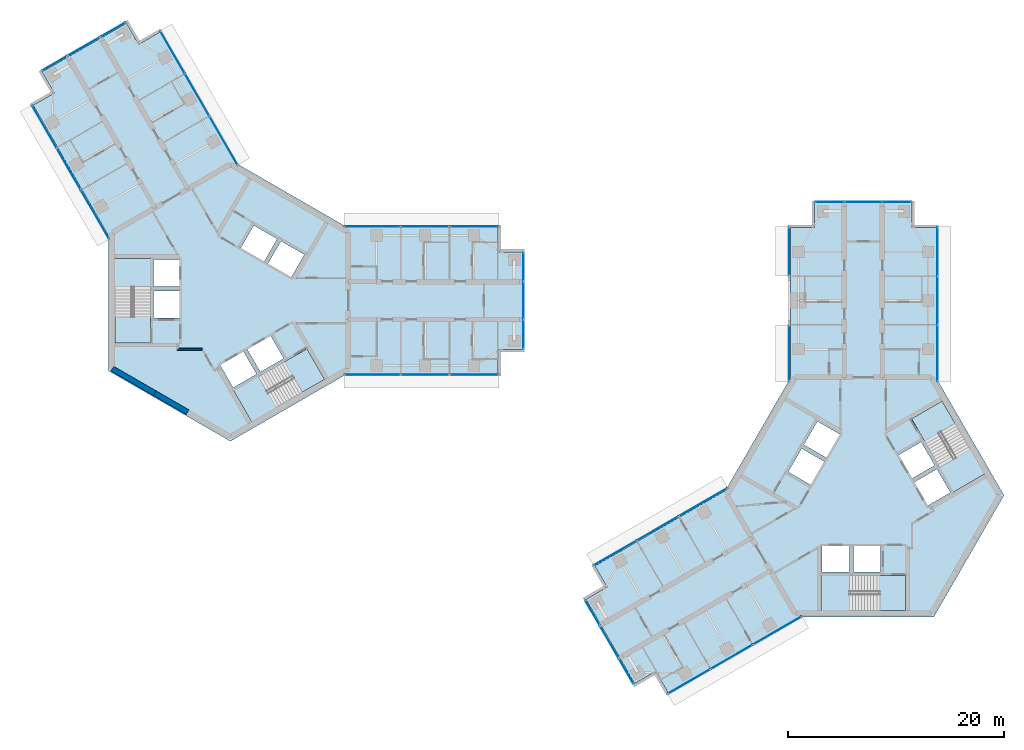
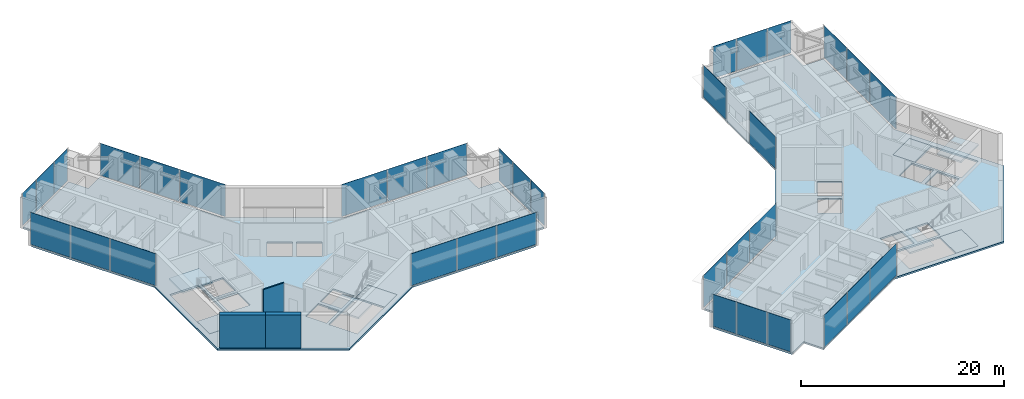
# One storey, part 10 of 17: 35 plates, 10 slabs, 3 walls, 17 elements without a shape of their own.
"""IFC4 building model written with IfcOpenShell, lengths in metres."""

from ifc_helpers import new_model, si_unit, direction, frame, frame_2d, origin, origin_2d, place, context, subcontext, project, spatial, polyline, rectangle, outline, extrude, material, layer, layer_set, type_object, element, aggregate, save


model = new_model("IFC4")

# Units and contexts
model_context = context("Model", 3, precision=1e-05, world=origin(), true_north=direction((0.0, 1.0)))
body_context = subcontext(model_context, "Body", "Model", "MODEL_VIEW")
ifc_project = project(units=[si_unit("LENGTHUNIT", "METRE"), si_unit("AREAUNIT", "SQUARE_METRE"), si_unit("VOLUMEUNIT", "CUBIC_METRE"), si_unit("PLANEANGLEUNIT", "RADIAN"), si_unit("MASSUNIT", "GRAM", prefix="KILO")], contexts=[model_context])

# Site, building, storey
site_placement = place(None, origin())
site = spatial("IfcSite", under=ifc_project, at=site_placement, CompositionType="ELEMENT")
building_placement = place(site_placement, origin())
building = spatial("IfcBuilding", under=site, at=building_placement, Name="Upepo Twin Towers", CompositionType="ELEMENT")
storey_placement = place(building_placement, frame((0.0, 0.0, 234.5)))
storey = spatial("IfcBuildingStorey", under=building, at=storey_placement, Name="L57", CompositionType="ELEMENT", Elevation=234.5)

# Curtain wall, plates
ifc_material_1 = material(Name="Aluminium and fritted glass", Category="aluminium")
curtain_wall_type = type_object("IfcCurtainWallType", Name="Tower curtain wall TW3, fritted glass", PredefinedType="NOTDEFINED", material=ifc_material_1)
curtain_wall_1_placement = place(storey_placement, origin())
curtain_wall_1 = element("IfcCurtainWall", 1, at=curtain_wall_1_placement, inside=storey, type_object=curtain_wall_type, Name="T1 L57 wing A flank L curtain wall", PredefinedType="NOTDEFINED")
ifc_material_2 = material(Name="Ceramic-fritted laminated glass", Category="glass")
ifc_layer_1 = layer(ifc_material_2, 0.031982421875)
ifc_layer_set_1 = layer_set([ifc_layer_1], Name="Fritted glass panel, 60 per cent dot frit, 32 mm double glazed")
plate_type_1 = type_object("IfcPlateType", Name="Fritted glass panel, 60 per cent dot frit, 32 mm double glazed", PredefinedType="CURTAIN_PANEL", material=ifc_layer_set_1)
plate_1_placement = place(storey_placement, frame((13.134765625, 6.85009765625, 0.14990234375), z_axis=(0.0, 0.0, 1.0), x_axis=(1.0, 0.0, 0.0)))
plate_1 = element("IfcPlate", 2, at=plate_1_placement, type_object=plate_type_1, Name="T1 L57 wing A flank L curtain wall panel 1", PredefinedType="CURTAIN_PANEL", context=body_context, shape_type="SweptSolid", body=[
    extrude(rectangle(XDim=5.165283203125, YDim=0.031982421875, at=origin_2d()), origin(), (0.0, 0.0, 1.0), 3.85009765625),
])
plate_2_placement = place(storey_placement, frame((18.0, 6.85009765625, 0.14990234375), z_axis=(0.0, 0.0, 1.0), x_axis=(1.0, 0.0, 0.0)))
plate_2 = element("IfcPlate", 3, at=plate_2_placement, type_object=plate_type_1, Name="T1 L57 wing A flank L curtain wall panel 2", PredefinedType="CURTAIN_PANEL", context=body_context, shape_type="SweptSolid", body=[
    extrude(rectangle(XDim=4.43505859375, YDim=0.031982421875, at=origin_2d()), origin(), (0.0, 0.0, 1.0), 3.85009765625),
])
plate_3_placement = place(storey_placement, frame((22.53369140625, 6.85009765625, 0.14990234375), z_axis=(0.0, 0.0, 1.0), x_axis=(1.0, 0.0, 0.0)))
plate_3 = element("IfcPlate", 4, at=plate_3_placement, type_object=plate_type_1, Name="T1 L57 wing A flank L curtain wall panel 3", PredefinedType="CURTAIN_PANEL", context=body_context, shape_type="SweptSolid", body=[
    extrude(rectangle(XDim=4.50244140625, YDim=0.031982421875, at=origin_2d()), origin(), (0.0, 0.0, 1.0), 3.85009765625),
])
aggregate(curtain_wall_1, [plate_1, plate_2, plate_3])

curtain_wall_2_placement = place(storey_placement, origin())
curtain_wall_2 = element("IfcCurtainWall", 5, at=curtain_wall_2_placement, inside=storey, type_object=curtain_wall_type, Name="T1 L57 wing A flank R curtain wall", PredefinedType="NOTDEFINED")
plate_4_placement = place(storey_placement, frame((22.53369140625, -6.85009765625, 0.14990234375), z_axis=(0.0, 0.0, 1.0), x_axis=(-1.0, 0.0, 0.0)))
plate_4 = element("IfcPlate", 6, at=plate_4_placement, type_object=plate_type_1, Name="T1 L57 wing A flank R curtain wall panel 1", PredefinedType="CURTAIN_PANEL", context=body_context, shape_type="SweptSolid", body=[
    extrude(rectangle(XDim=4.50244140625, YDim=0.031982421875, at=origin_2d()), origin(), (0.0, 0.0, 1.0), 3.85009765625),
])
plate_5_placement = place(storey_placement, frame((18.0, -6.85009765625, 0.14990234375), z_axis=(0.0, 0.0, 1.0), x_axis=(-1.0, 0.0, 0.0)))
plate_5 = element("IfcPlate", 7, at=plate_5_placement, type_object=plate_type_1, Name="T1 L57 wing A flank R curtain wall panel 2", PredefinedType="CURTAIN_PANEL", context=body_context, shape_type="SweptSolid", body=[
    extrude(rectangle(XDim=4.43505859375, YDim=0.031982421875, at=origin_2d()), origin(), (0.0, 0.0, 1.0), 3.85009765625),
])
plate_6_placement = place(storey_placement, frame((13.134765625, -6.85009765625, 0.14990234375), z_axis=(0.0, 0.0, 1.0), x_axis=(-1.0, 0.0, 0.0)))
plate_6 = element("IfcPlate", 8, at=plate_6_placement, type_object=plate_type_1, Name="T1 L57 wing A flank R curtain wall panel 3", PredefinedType="CURTAIN_PANEL", context=body_context, shape_type="SweptSolid", body=[
    extrude(rectangle(XDim=5.165283203125, YDim=0.031982421875, at=origin_2d()), origin(), (0.0, 0.0, 1.0), 3.85009765625),
])
aggregate(curtain_wall_2, [plate_4, plate_5, plate_6])

# Curtain wall, plate
curtain_wall_3_placement = place(storey_placement, origin())
curtain_wall_3 = element("IfcCurtainWall", 9, at=curtain_wall_3_placement, inside=storey, type_object=curtain_wall_type, Name="T1 L57 wing A nose curtain wall", PredefinedType="NOTDEFINED")
plate_7_placement = place(storey_placement, frame((27.10009765625, 0.0, 0.14990234375), z_axis=(0.0, 0.0, 1.0), x_axis=(0.0, 1.0, 0.0)))
plate_7 = element("IfcPlate", 10, at=plate_7_placement, type_object=plate_type_1, Name="T1 L57 wing A nose curtain wall panel 2", PredefinedType="CURTAIN_PANEL", context=body_context, shape_type="SweptSolid", body=[
    extrude(rectangle(XDim=3.43505859375, YDim=0.031982421875, at=origin_2d()), origin(), (0.0, 0.0, 1.0), 3.85009765625),
])

# Curtain wall, plates
curtain_wall_4_placement = place(storey_placement, origin())
curtain_wall_4 = element("IfcCurtainWall", 11, at=curtain_wall_4_placement, inside=storey, type_object=curtain_wall_type, Name="T1 L57 wing B flank L curtain wall", PredefinedType="NOTDEFINED")
plate_8_placement = place(storey_placement, frame((-12.499755859375, 7.9501953125, 0.14990234375), z_axis=(0.0, 0.0, 1.0), x_axis=(-0.500000026527, 0.866025388469, 0.0)))
plate_8 = element("IfcPlate", 12, at=plate_8_placement, type_object=plate_type_1, Name="T1 L57 wing B flank L curtain wall panel 1", PredefinedType="CURTAIN_PANEL", context=body_context, shape_type="SweptSolid", body=[
    extrude(rectangle(XDim=5.165283203125, YDim=0.031982421875, at=origin_2d()), origin(), (0.0, 0.0, 1.0), 3.85009765625),
])
plate_9_placement = place(storey_placement, frame((-14.932373046875, 12.16357421875, 0.14990234375), z_axis=(0.0, 0.0, 1.0), x_axis=(-0.500000026527, 0.866025388469, 0.0)))
plate_9 = element("IfcPlate", 13, at=plate_9_placement, type_object=plate_type_1, Name="T1 L57 wing B flank L curtain wall panel 2", PredefinedType="CURTAIN_PANEL", context=body_context, shape_type="SweptSolid", body=[
    extrude(rectangle(XDim=4.43505859375, YDim=0.031982421875, at=origin_2d()), origin(), (0.0, 0.0, 1.0), 3.85009765625),
])
plate_10_placement = place(storey_placement, frame((-17.19921875, 16.08984375, 0.14990234375), z_axis=(0.0, 0.0, 1.0), x_axis=(-0.500000026527, 0.866025388469, 0.0)))
plate_10 = element("IfcPlate", 14, at=plate_10_placement, type_object=plate_type_1, Name="T1 L57 wing B flank L curtain wall panel 3", PredefinedType="CURTAIN_PANEL", context=body_context, shape_type="SweptSolid", body=[
    extrude(rectangle(XDim=4.50244140625, YDim=0.031982421875, at=origin_2d()), origin(), (0.0, 0.0, 1.0), 3.85009765625),
])
aggregate(curtain_wall_4, [plate_8, plate_9, plate_10])

curtain_wall_5_placement = place(storey_placement, origin())
curtain_wall_5 = element("IfcCurtainWall", 15, at=curtain_wall_5_placement, inside=storey, type_object=curtain_wall_type, Name="T1 L57 wing B flank R curtain wall", PredefinedType="NOTDEFINED")
plate_11_placement = place(storey_placement, frame((-5.334716796875, 22.939697265625, 0.14990234375), z_axis=(0.0, 0.0, 1.0), x_axis=(0.500000026527, -0.866025388469, 0.0)))
plate_11 = element("IfcPlate", 16, at=plate_11_placement, type_object=plate_type_1, Name="T1 L57 wing B flank R curtain wall panel 1", PredefinedType="CURTAIN_PANEL", context=body_context, shape_type="SweptSolid", body=[
    extrude(rectangle(XDim=4.50244140625, YDim=0.031982421875, at=origin_2d()), origin(), (0.0, 0.0, 1.0), 3.85009765625),
])
plate_12_placement = place(storey_placement, frame((-3.067626953125, 19.013427734375, 0.14990234375), z_axis=(0.0, 0.0, 1.0), x_axis=(0.500000026527, -0.866025388469, 0.0)))
plate_12 = element("IfcPlate", 17, at=plate_12_placement, type_object=plate_type_1, Name="T1 L57 wing B flank R curtain wall panel 2", PredefinedType="CURTAIN_PANEL", context=body_context, shape_type="SweptSolid", body=[
    extrude(rectangle(XDim=4.43505859375, YDim=0.031982421875, at=origin_2d()), origin(), (0.0, 0.0, 1.0), 3.85009765625),
])
plate_13_placement = place(storey_placement, frame((-0.635009765625, 14.800048828125, 0.14990234375), z_axis=(0.0, 0.0, 1.0), x_axis=(0.500000026527, -0.866025388469, 0.0)))
plate_13 = element("IfcPlate", 18, at=plate_13_placement, type_object=plate_type_1, Name="T1 L57 wing B flank R curtain wall panel 3", PredefinedType="CURTAIN_PANEL", context=body_context, shape_type="SweptSolid", body=[
    extrude(rectangle(XDim=5.165283203125, YDim=0.031982421875, at=origin_2d()), origin(), (0.0, 0.0, 1.0), 3.85009765625),
])
aggregate(curtain_wall_5, [plate_11, plate_12, plate_13])

# Curtain wall, plate
curtain_wall_6_placement = place(storey_placement, origin())
curtain_wall_6 = element("IfcCurtainWall", 19, at=curtain_wall_6_placement, inside=storey, type_object=curtain_wall_type, Name="T1 L57 wing B nose curtain wall", PredefinedType="NOTDEFINED")
plate_14_placement = place(storey_placement, frame((-13.550048828125, 23.46923828125, 0.14990234375), z_axis=(0.0, 0.0, 1.0), x_axis=(-0.866025386174, -0.500000030502, 0.0)))
plate_14 = element("IfcPlate", 20, at=plate_14_placement, type_object=plate_type_1, Name="T1 L57 wing B nose curtain wall panel 2", PredefinedType="CURTAIN_PANEL", context=body_context, shape_type="SweptSolid", body=[
    extrude(rectangle(XDim=3.43505859375, YDim=0.031982421875, at=origin_2d()), origin(), (0.0, 0.0, 1.0), 3.85009765625),
])

curtain_wall_7_placement = place(storey_placement, origin())
curtain_wall_7 = element("IfcCurtainWall", 21, at=curtain_wall_7_placement, inside=storey, type_object=curtain_wall_type, Name="T2 L57 wing A flank L curtain wall", PredefinedType="NOTDEFINED")
plate_15_placement = place(storey_placement, frame((51.64990234375, -4.88134765625, 0.14990234375), z_axis=(0.0, 0.0, 1.0), x_axis=(0.0, 1.0, 0.0)))
plate_15 = element("IfcPlate", 22, at=plate_15_placement, type_object=plate_type_1, Name="T2 L57 wing A flank L curtain wall panel 1", PredefinedType="CURTAIN_PANEL", context=body_context, shape_type="SweptSolid", body=[
    extrude(rectangle(XDim=5.1328125, YDim=0.031982421875, at=origin_2d()), origin(), (0.0, 0.0, 1.0), 3.85009765625),
])
aggregate(curtain_wall_7, [plate_15])

curtain_wall_8_placement = place(storey_placement, origin())
curtain_wall_8 = element("IfcCurtainWall", 23, at=curtain_wall_8_placement, inside=storey, type_object=curtain_wall_type, Name="T2 L57 wing A flank L curtain wall 2", PredefinedType="NOTDEFINED")
plate_16_placement = place(storey_placement, frame((51.64990234375, 4.550048828125, 0.14990234375), z_axis=(0.0, 0.0, 1.0), x_axis=(0.0, 1.0, 0.0)))
plate_16 = element("IfcPlate", 24, at=plate_16_placement, type_object=plate_type_1, Name="T2 L57 wing A flank L curtain wall 2 panel 1", PredefinedType="CURTAIN_PANEL", context=body_context, shape_type="SweptSolid", body=[
    extrude(rectangle(XDim=4.469970703125, YDim=0.031982421875, at=origin_2d()), origin(), (0.0, 0.0, 1.0), 3.85009765625),
])
aggregate(curtain_wall_8, [plate_16])

# Curtain wall, plates
curtain_wall_9_placement = place(storey_placement, origin())
curtain_wall_9 = element("IfcCurtainWall", 25, at=curtain_wall_9_placement, inside=storey, type_object=curtain_wall_type, Name="T2 L57 wing A flank R curtain wall", PredefinedType="NOTDEFINED")
plate_17_placement = place(storey_placement, frame((65.35009765625, 4.53369140625, 0.14990234375), z_axis=(0.0, 0.0, 1.0), x_axis=(0.0, -1.0, 0.0)))
plate_17 = element("IfcPlate", 26, at=plate_17_placement, type_object=plate_type_1, Name="T2 L57 wing A flank R curtain wall panel 1", PredefinedType="CURTAIN_PANEL", context=body_context, shape_type="SweptSolid", body=[
    extrude(rectangle(XDim=4.50244140625, YDim=0.031982421875, at=origin_2d()), origin(), (0.0, 0.0, 1.0), 3.85009765625),
])
plate_18_placement = place(storey_placement, frame((65.35009765625, 0.0, 0.14990234375), z_axis=(0.0, 0.0, 1.0), x_axis=(0.0, -1.0, 0.0)))
plate_18 = element("IfcPlate", 27, at=plate_18_placement, type_object=plate_type_1, Name="T2 L57 wing A flank R curtain wall panel 2", PredefinedType="CURTAIN_PANEL", context=body_context, shape_type="SweptSolid", body=[
    extrude(rectangle(XDim=4.43505859375, YDim=0.031982421875, at=origin_2d()), origin(), (0.0, 0.0, 1.0), 3.85009765625),
])
plate_19_placement = place(storey_placement, frame((65.35009765625, -4.865234375, 0.14990234375), z_axis=(0.0, 0.0, 1.0), x_axis=(0.0, -1.0, 0.0)))
plate_19 = element("IfcPlate", 28, at=plate_19_placement, type_object=plate_type_1, Name="T2 L57 wing A flank R curtain wall panel 3", PredefinedType="CURTAIN_PANEL", context=body_context, shape_type="SweptSolid", body=[
    extrude(rectangle(XDim=5.165283203125, YDim=0.031982421875, at=origin_2d()), origin(), (0.0, 0.0, 1.0), 3.85009765625),
])
aggregate(curtain_wall_9, [plate_17, plate_18, plate_19])

# Curtain wall, plate
curtain_wall_10_placement = place(storey_placement, origin())
curtain_wall_10 = element("IfcCurtainWall", 29, at=curtain_wall_10_placement, inside=storey, type_object=curtain_wall_type, Name="T2 L57 wing A nose curtain wall", PredefinedType="NOTDEFINED")
plate_20_placement = place(storey_placement, frame((58.5, 9.10009765625, 0.14990234375), z_axis=(0.0, 0.0, 1.0), x_axis=(-1.0, 0.0, 0.0)))
plate_20 = element("IfcPlate", 30, at=plate_20_placement, type_object=plate_type_1, Name="T2 L57 wing A nose curtain wall panel 2", PredefinedType="CURTAIN_PANEL", context=body_context, shape_type="SweptSolid", body=[
    extrude(rectangle(XDim=3.43505859375, YDim=0.031982421875, at=origin_2d()), origin(), (0.0, 0.0, 1.0), 3.85009765625),
])

# Curtain wall, plates
curtain_wall_11_placement = place(storey_placement, origin())
curtain_wall_11 = element("IfcCurtainWall", 31, at=curtain_wall_11_placement, inside=storey, type_object=curtain_wall_type, Name="T2 L57 wing B flank L curtain wall", PredefinedType="NOTDEFINED")
plate_21_placement = place(storey_placement, frame((50.5498046875, -30.499755859375, 0.14990234375), z_axis=(0.0, 0.0, 1.0), x_axis=(-0.866025388469, -0.500000026527, 0.0)))
plate_21 = element("IfcPlate", 32, at=plate_21_placement, type_object=plate_type_1, Name="T2 L57 wing B flank L curtain wall panel 1", PredefinedType="CURTAIN_PANEL", context=body_context, shape_type="SweptSolid", body=[
    extrude(rectangle(XDim=5.165283203125, YDim=0.031982421875, at=origin_2d()), origin(), (0.0, 0.0, 1.0), 3.85009765625),
])
plate_22_placement = place(storey_placement, frame((46.33642578125, -32.932373046875, 0.14990234375), z_axis=(0.0, 0.0, 1.0), x_axis=(-0.866025388469, -0.500000026527, 0.0)))
plate_22 = element("IfcPlate", 33, at=plate_22_placement, type_object=plate_type_1, Name="T2 L57 wing B flank L curtain wall panel 2", PredefinedType="CURTAIN_PANEL", context=body_context, shape_type="SweptSolid", body=[
    extrude(rectangle(XDim=4.43505859375, YDim=0.031982421875, at=origin_2d()), origin(), (0.0, 0.0, 1.0), 3.85009765625),
])
plate_23_placement = place(storey_placement, frame((42.41015625, -35.19921875, 0.14990234375), z_axis=(0.0, 0.0, 1.0), x_axis=(-0.866025388469, -0.500000026527, 0.0)))
plate_23 = element("IfcPlate", 34, at=plate_23_placement, type_object=plate_type_1, Name="T2 L57 wing B flank L curtain wall panel 3", PredefinedType="CURTAIN_PANEL", context=body_context, shape_type="SweptSolid", body=[
    extrude(rectangle(XDim=4.50244140625, YDim=0.031982421875, at=origin_2d()), origin(), (0.0, 0.0, 1.0), 3.85009765625),
])
aggregate(curtain_wall_11, [plate_21, plate_22, plate_23])

curtain_wall_12_placement = place(storey_placement, origin())
curtain_wall_12 = element("IfcCurtainWall", 35, at=curtain_wall_12_placement, inside=storey, type_object=curtain_wall_type, Name="T2 L57 wing B flank R curtain wall", PredefinedType="NOTDEFINED")
plate_24_placement = place(storey_placement, frame((35.560302734375, -23.334716796875, 0.14990234375), z_axis=(0.0, 0.0, 1.0), x_axis=(0.866025388469, 0.500000026527, 0.0)))
plate_24 = element("IfcPlate", 36, at=plate_24_placement, type_object=plate_type_1, Name="T2 L57 wing B flank R curtain wall panel 1", PredefinedType="CURTAIN_PANEL", context=body_context, shape_type="SweptSolid", body=[
    extrude(rectangle(XDim=4.50244140625, YDim=0.031982421875, at=origin_2d()), origin(), (0.0, 0.0, 1.0), 3.85009765625),
])
plate_25_placement = place(storey_placement, frame((39.486572265625, -21.067626953125, 0.14990234375), z_axis=(0.0, 0.0, 1.0), x_axis=(0.866025388469, 0.500000026527, 0.0)))
plate_25 = element("IfcPlate", 37, at=plate_25_placement, type_object=plate_type_1, Name="T2 L57 wing B flank R curtain wall panel 2", PredefinedType="CURTAIN_PANEL", context=body_context, shape_type="SweptSolid", body=[
    extrude(rectangle(XDim=4.43505859375, YDim=0.031982421875, at=origin_2d()), origin(), (0.0, 0.0, 1.0), 3.85009765625),
])
plate_26_placement = place(storey_placement, frame((43.699951171875, -18.635009765625, 0.14990234375), z_axis=(0.0, 0.0, 1.0), x_axis=(0.866025388469, 0.500000026527, 0.0)))
plate_26 = element("IfcPlate", 38, at=plate_26_placement, type_object=plate_type_1, Name="T2 L57 wing B flank R curtain wall panel 3", PredefinedType="CURTAIN_PANEL", context=body_context, shape_type="SweptSolid", body=[
    extrude(rectangle(XDim=5.165283203125, YDim=0.031982421875, at=origin_2d()), origin(), (0.0, 0.0, 1.0), 3.85009765625),
])
aggregate(curtain_wall_12, [plate_24, plate_25, plate_26])

# Curtain wall, plate
curtain_wall_13_placement = place(storey_placement, origin())
curtain_wall_13 = element("IfcCurtainWall", 39, at=curtain_wall_13_placement, inside=storey, type_object=curtain_wall_type, Name="T2 L57 wing B nose curtain wall", PredefinedType="NOTDEFINED")
plate_27_placement = place(storey_placement, frame((35.03076171875, -31.550048828125, 0.14990234375), z_axis=(0.0, 0.0, 1.0), x_axis=(0.500000030502, -0.866025386174, 0.0)))
plate_27 = element("IfcPlate", 40, at=plate_27_placement, type_object=plate_type_1, Name="T2 L57 wing B nose curtain wall panel 2", PredefinedType="CURTAIN_PANEL", context=body_context, shape_type="SweptSolid", body=[
    extrude(rectangle(XDim=3.43505859375, YDim=0.031982421875, at=origin_2d()), origin(), (0.0, 0.0, 1.0), 3.85009765625),
])

# Plate
ifc_material_3 = material(Name="Clear laminated glass in opening sash", Category="glass")
ifc_layer_2 = layer(ifc_material_3, 0.031982421875)
ifc_layer_set_2 = layer_set([ifc_layer_2], Name="Operable glass panel, 32 mm double glazed")
plate_type_2 = type_object("IfcPlateType", Name="Operable glass panel, 32 mm double glazed", PredefinedType="CURTAIN_PANEL", material=ifc_layer_set_2)
plate_28_placement = place(storey_placement, frame((27.10009765625, -3.108642578125, 0.14990234375), z_axis=(0.0, 0.0, 1.0), x_axis=(0.0, 1.0, 0.0)))
plate_28 = element("IfcPlate", 41, at=plate_28_placement, type_object=plate_type_2, Name="T1 L57 wing A nose curtain wall panel 1", PredefinedType="CURTAIN_PANEL", context=body_context, shape_type="SweptSolid", body=[
    extrude(rectangle(XDim=2.652587890625, YDim=0.031982421875, at=origin_2d()), origin(), (0.0, 0.0, 1.0), 3.85009765625),
])

plate_29_placement = place(storey_placement, frame((27.10009765625, 3.108642578125, 0.14990234375), z_axis=(0.0, 0.0, 1.0), x_axis=(0.0, 1.0, 0.0)))
plate_29 = element("IfcPlate", 42, at=plate_29_placement, type_object=plate_type_2, Name="T1 L57 wing A nose curtain wall panel 3", PredefinedType="CURTAIN_PANEL", context=body_context, shape_type="SweptSolid", body=[
    extrude(rectangle(XDim=2.652587890625, YDim=0.031982421875, at=origin_2d()), origin(), (0.0, 0.0, 1.0), 3.85009765625),
])

aggregate(curtain_wall_3, [plate_28, plate_7, plate_29])

plate_30_placement = place(storey_placement, frame((-10.857666015625, 25.023681640625, 0.14990234375), z_axis=(0.0, 0.0, 1.0), x_axis=(-0.866025386174, -0.500000030502, 0.0)))
plate_30 = element("IfcPlate", 43, at=plate_30_placement, type_object=plate_type_2, Name="T1 L57 wing B nose curtain wall panel 1", PredefinedType="CURTAIN_PANEL", context=body_context, shape_type="SweptSolid", body=[
    extrude(rectangle(XDim=2.652587890625, YDim=0.031982421875, at=origin_2d()), origin(), (0.0, 0.0, 1.0), 3.85009765625),
])

plate_31_placement = place(storey_placement, frame((-16.2421875, 21.914794921875, 0.14990234375), z_axis=(0.0, 0.0, 1.0), x_axis=(-0.866025386174, -0.500000030502, 0.0)))
plate_31 = element("IfcPlate", 44, at=plate_31_placement, type_object=plate_type_2, Name="T1 L57 wing B nose curtain wall panel 3", PredefinedType="CURTAIN_PANEL", context=body_context, shape_type="SweptSolid", body=[
    extrude(rectangle(XDim=2.652587890625, YDim=0.031982421875, at=origin_2d()), origin(), (0.0, 0.0, 1.0), 3.85009765625),
])

aggregate(curtain_wall_6, [plate_30, plate_14, plate_31])

plate_32_placement = place(storey_placement, frame((61.608642578125, 9.10009765625, 0.14990234375), z_axis=(0.0, 0.0, 1.0), x_axis=(-1.0, 0.0, 0.0)))
plate_32 = element("IfcPlate", 45, at=plate_32_placement, type_object=plate_type_2, Name="T2 L57 wing A nose curtain wall panel 1", PredefinedType="CURTAIN_PANEL", context=body_context, shape_type="SweptSolid", body=[
    extrude(rectangle(XDim=2.652587890625, YDim=0.031982421875, at=origin_2d()), origin(), (0.0, 0.0, 1.0), 3.85009765625),
])

plate_33_placement = place(storey_placement, frame((55.391357421875, 9.10009765625, 0.14990234375), z_axis=(0.0, 0.0, 1.0), x_axis=(-1.0, 0.0, 0.0)))
plate_33 = element("IfcPlate", 46, at=plate_33_placement, type_object=plate_type_2, Name="T2 L57 wing A nose curtain wall panel 3", PredefinedType="CURTAIN_PANEL", context=body_context, shape_type="SweptSolid", body=[
    extrude(rectangle(XDim=2.652587890625, YDim=0.031982421875, at=origin_2d()), origin(), (0.0, 0.0, 1.0), 3.85009765625),
])

aggregate(curtain_wall_10, [plate_32, plate_20, plate_33])

plate_34_placement = place(storey_placement, frame((33.476318359375, -28.857666015625, 0.14990234375), z_axis=(0.0, 0.0, 1.0), x_axis=(0.500000030502, -0.866025386174, 0.0)))
plate_34 = element("IfcPlate", 47, at=plate_34_placement, type_object=plate_type_2, Name="T2 L57 wing B nose curtain wall panel 1", PredefinedType="CURTAIN_PANEL", context=body_context, shape_type="SweptSolid", body=[
    extrude(rectangle(XDim=2.652587890625, YDim=0.031982421875, at=origin_2d()), origin(), (0.0, 0.0, 1.0), 3.85009765625),
])

plate_35_placement = place(storey_placement, frame((36.585205078125, -34.2421875, 0.14990234375), z_axis=(0.0, 0.0, 1.0), x_axis=(0.500000030502, -0.866025386174, 0.0)))
plate_35 = element("IfcPlate", 48, at=plate_35_placement, type_object=plate_type_2, Name="T2 L57 wing B nose curtain wall panel 3", PredefinedType="CURTAIN_PANEL", context=body_context, shape_type="SweptSolid", body=[
    extrude(rectangle(XDim=2.652587890625, YDim=0.031982421875, at=origin_2d()), origin(), (0.0, 0.0, 1.0), 3.85009765625),
])

aggregate(curtain_wall_13, [plate_34, plate_27, plate_35])

# Stair, slabs
ifc_material_4 = material(Name="Concrete C40/50", Category="concrete")
stair_type = type_object("IfcStairType", Name="Core stair, two flights", PredefinedType="HALF_TURN_STAIR", material=ifc_material_4)
stair_1_placement = place(storey_placement, origin())
stair_1 = element("IfcStair", 49, at=stair_1_placement, inside=storey, type_object=stair_type, Name="T1 stair S1 L57", PredefinedType="HALF_TURN_STAIR")
ifc_material_5 = material(Name="Concrete C40/50", Category="concrete")
ifc_layer_3 = layer(ifc_material_5, 0.199951171875)
ifc_layer_set_3 = layer_set([ifc_layer_3], Name="Concrete C40/50")
slab_type_1 = type_object("IfcSlabType", Name="Stair landing 200 RC", PredefinedType="LANDING", material=ifc_layer_set_3)
slab_1_placement = place(storey_placement, frame((0.0, 0.0, -0.199951171875)))
slab_1 = element("IfcSlab", 50, at=slab_1_placement, type_object=slab_type_1, Name="Stair S1 landing 1", PredefinedType="LANDING", context=body_context, shape_type="SweptSolid", body=[
    extrude(outline(polyline([(-7.39990234375, -1.419921875), (-10.658447265625, -1.419921875), (-10.658447265625, -3.89990234375), (-7.39990234375, -3.89990234375), (-7.39990234375, -1.419921875)])), origin(), (0.0, 0.0, 1.0), 0.199951171875),
])
slab_2_placement = place(storey_placement, frame((0.0, 0.0, 1.800048828125)))
slab_2 = element("IfcSlab", 51, at=slab_2_placement, type_object=slab_type_1, Name="Stair S1 landing 2", PredefinedType="LANDING", context=body_context, shape_type="SweptSolid", body=[
    extrude(outline(polyline([(-7.300048828125, 3.89990234375), (-10.75830078125, 3.89990234375), (-10.75830078125, 1.179931640625), (-7.300048828125, 1.179931640625), (-7.300048828125, 3.89990234375)])), origin(), (0.0, 0.0, 1.0), 0.199951171875),
])
aggregate(stair_1, [slab_1, slab_2])

stair_2_placement = place(storey_placement, origin())
stair_2 = element("IfcStair", 52, at=stair_2_placement, inside=storey, type_object=stair_type, Name="T1 stair S2 L57", PredefinedType="HALF_TURN_STAIR")
slab_3_placement = place(storey_placement, frame((0.0, 0.0, -0.199951171875)))
slab_3 = element("IfcSlab", 53, at=slab_3_placement, type_object=slab_type_1, Name="Stair S2 landing 1", PredefinedType="LANDING", context=body_context, shape_type="SweptSolid", body=[
    extrude(outline(polyline([(4.9296875, -5.698486328125), (6.558837890625, -8.520263671875), (8.70654296875, -7.2802734375), (7.077392578125, -4.45849609375), (4.9296875, -5.698486328125)])), origin(), (0.0, 0.0, 1.0), 0.199951171875),
])
slab_4_placement = place(storey_placement, frame((0.0, 0.0, 1.800048828125)))
slab_4 = element("IfcSlab", 54, at=slab_4_placement, type_object=slab_type_1, Name="Stair S2 landing 2", PredefinedType="LANDING", context=body_context, shape_type="SweptSolid", body=[
    extrude(outline(polyline([(0.2724609375, -8.27197265625), (2.001708984375, -11.26708984375), (4.357177734375, -9.906982421875), (2.628173828125, -6.911865234375), (0.2724609375, -8.27197265625)])), origin(), (0.0, 0.0, 1.0), 0.199951171875),
])
aggregate(stair_2, [slab_3, slab_4])

stair_3_placement = place(storey_placement, origin())
stair_3 = element("IfcStair", 55, at=stair_3_placement, inside=storey, type_object=stair_type, Name="T2 stair S1 L57", PredefinedType="HALF_TURN_STAIR")
slab_5_placement = place(storey_placement, frame((0.0, 0.0, -0.199951171875)))
slab_5 = element("IfcSlab", 56, at=slab_5_placement, type_object=slab_type_1, Name="Stair S1 landing 1", PredefinedType="LANDING", context=body_context, shape_type="SweptSolid", body=[
    extrude(outline(polyline([(59.919921875, -25.39990234375), (59.919921875, -28.658447265625), (62.39990234375, -28.658447265625), (62.39990234375, -25.39990234375), (59.919921875, -25.39990234375)])), origin(), (0.0, 0.0, 1.0), 0.199951171875),
])
slab_6_placement = place(storey_placement, frame((0.0, 0.0, 1.800048828125)))
slab_6 = element("IfcSlab", 57, at=slab_6_placement, type_object=slab_type_1, Name="Stair S1 landing 2", PredefinedType="LANDING", context=body_context, shape_type="SweptSolid", body=[
    extrude(outline(polyline([(54.60009765625, -25.300048828125), (54.60009765625, -28.75830078125), (57.320068359375, -28.75830078125), (57.320068359375, -25.300048828125), (54.60009765625, -25.300048828125)])), origin(), (0.0, 0.0, 1.0), 0.199951171875),
])
aggregate(stair_3, [slab_5, slab_6])

stair_4_placement = place(storey_placement, origin())
stair_4 = element("IfcStair", 58, at=stair_4_placement, inside=storey, type_object=stair_type, Name="T2 stair S2 L57", PredefinedType="HALF_TURN_STAIR")
slab_7_placement = place(storey_placement, frame((0.0, 0.0, -0.199951171875)))
slab_7 = element("IfcSlab", 59, at=slab_7_placement, type_object=slab_type_1, Name="Stair S2 landing 1", PredefinedType="LANDING", context=body_context, shape_type="SweptSolid", body=[
    extrude(outline(polyline([(64.198486328125, -13.0703125), (67.020263671875, -11.441162109375), (65.7802734375, -9.29345703125), (62.95849609375, -10.922607421875), (64.198486328125, -13.0703125)])), origin(), (0.0, 0.0, 1.0), 0.199951171875),
])
slab_8_placement = place(storey_placement, frame((0.0, 0.0, 1.800048828125)))
slab_8 = element("IfcSlab", 60, at=slab_8_placement, type_object=slab_type_1, Name="Stair S2 landing 2", PredefinedType="LANDING", context=body_context, shape_type="SweptSolid", body=[
    extrude(outline(polyline([(66.77197265625, -17.7275390625), (69.76708984375, -15.998291015625), (68.406982421875, -13.642822265625), (65.411865234375, -15.371826171875), (66.77197265625, -17.7275390625)])), origin(), (0.0, 0.0, 1.0), 0.199951171875),
])
aggregate(stair_4, [slab_7, slab_8])

# Slabs
ifc_material_6 = material(Name="Concrete C40/50", Category="concrete")
ifc_layer_4 = layer(ifc_material_6, 0.199951171875)
ifc_layer_set_4 = layer_set([ifc_layer_4], Name="Concrete C40/50")
slab_type_2 = type_object("IfcSlabType", Name="Tower floor slab 200 RC", PredefinedType="FLOOR", material=ifc_layer_set_4)
slab_9_placement = place(storey_placement, frame((0.0, 0.0, -0.199951171875)))
element("IfcSlab", 61, at=slab_9_placement, inside=storey, type_object=slab_type_2, Name="T1 L57 floor slab", PredefinedType="FLOOR", context=body_context, shape_type="SweptSolid", body=[
    extrude(outline(polyline([(10.825439453125, 6.75), (24.75, 6.75), (24.75, 4.5), (27.0, 4.5), (27.0, -4.5), (24.75, -4.5), (24.75, -6.75), (10.825439453125, -6.75), (0.0, -13.0), (-11.25830078125, -6.5), (-11.25830078125, 6.0), (-18.220703125, 18.05908203125), (-16.272216796875, 19.18408203125), (-17.397216796875, 21.132568359375), (-9.602783203125, 25.632568359375), (-8.477783203125, 23.68408203125), (-6.529296875, 24.80908203125), (0.43310546875, 12.75), (10.825439453125, 6.75)]), holes=[polyline([(5.640869140625, 2.17041015625), (6.8408203125, 4.248779296875), (4.67578125, 5.498779296875), (3.475830078125, 3.42041015625), (5.640869140625, 2.17041015625)]), polyline([(3.12939453125, 3.620361328125), (4.329345703125, 5.69873046875), (2.164306640625, 6.94873046875), (0.96435546875, 4.870361328125), (3.12939453125, 3.620361328125)]), polyline([(-4.699951171875, 3.800048828125), (-7.10009765625, 3.800048828125), (-7.10009765625, 1.300048828125), (-4.699951171875, 1.300048828125), (-4.699951171875, 3.800048828125)]), polyline([(-4.699951171875, 0.89990234375), (-7.10009765625, 0.89990234375), (-7.10009765625, -1.60009765625), (-4.699951171875, -1.60009765625), (-4.699951171875, 0.89990234375)]), polyline([(-7.39990234375, 3.89990234375), (-10.658447265625, 3.89990234375), (-10.658447265625, -3.89990234375), (-7.39990234375, -3.89990234375), (-7.39990234375, 3.89990234375)]), polyline([(-0.94091796875, -5.97021484375), (0.259033203125, -8.048828125), (2.424072265625, -6.798828125), (1.22412109375, -4.72021484375), (-0.94091796875, -5.97021484375)]), polyline([(1.570556640625, -4.520263671875), (2.7705078125, -6.598876953125), (4.935546875, -5.348876953125), (3.735595703125, -3.270263671875), (1.570556640625, -4.520263671875)]), polyline([(0.322509765625, -8.358642578125), (1.95166015625, -11.180419921875), (8.70654296875, -7.2802734375), (7.077392578125, -4.45849609375), (0.322509765625, -8.358642578125)])]), origin(), (0.0, 0.0, 1.0), 0.199951171875),
])
slab_10_placement = place(storey_placement, frame((0.0, 0.0, -0.199951171875)))
element("IfcSlab", 62, at=slab_10_placement, inside=storey, type_object=slab_type_2, Name="T2 L57 floor slab", PredefinedType="FLOOR", context=body_context, shape_type="SweptSolid", body=[
    extrude(outline(polyline([(51.75, -7.174560546875), (51.75, 6.75), (54.0, 6.75), (54.0, 9.0), (63.0, 9.0), (63.0, 6.75), (65.25, 6.75), (65.25, -7.174560546875), (71.5, -18.0), (65.0, -29.25830078125), (52.5, -29.25830078125), (40.44091796875, -36.220703125), (39.31591796875, -34.272216796875), (37.367431640625, -35.397216796875), (32.867431640625, -27.602783203125), (34.81591796875, -26.477783203125), (33.69091796875, -24.529296875), (45.75, -17.56689453125), (51.75, -7.174560546875)]), holes=[polyline([(56.32958984375, -12.359130859375), (54.251220703125, -11.1591796875), (53.001220703125, -13.32421875), (55.07958984375, -14.524169921875), (56.32958984375, -12.359130859375)]), polyline([(54.879638671875, -14.87060546875), (52.80126953125, -13.670654296875), (51.55126953125, -15.835693359375), (53.629638671875, -17.03564453125), (54.879638671875, -14.87060546875)]), polyline([(54.699951171875, -22.699951171875), (54.699951171875, -25.10009765625), (57.199951171875, -25.10009765625), (57.199951171875, -22.699951171875), (54.699951171875, -22.699951171875)]), polyline([(57.60009765625, -22.699951171875), (57.60009765625, -25.10009765625), (60.10009765625, -25.10009765625), (60.10009765625, -22.699951171875), (57.60009765625, -22.699951171875)]), polyline([(54.60009765625, -25.39990234375), (54.60009765625, -28.658447265625), (62.39990234375, -28.658447265625), (62.39990234375, -25.39990234375), (54.60009765625, -25.39990234375)]), polyline([(64.47021484375, -18.94091796875), (66.548828125, -17.740966796875), (65.298828125, -15.575927734375), (63.22021484375, -16.77587890625), (64.47021484375, -18.94091796875)]), polyline([(63.020263671875, -16.429443359375), (65.098876953125, -15.2294921875), (63.848876953125, -13.064453125), (61.770263671875, -14.264404296875), (63.020263671875, -16.429443359375)]), polyline([(66.858642578125, -17.677490234375), (69.680419921875, -16.04833984375), (65.7802734375, -9.29345703125), (62.95849609375, -10.922607421875), (66.858642578125, -17.677490234375)])]), origin(), (0.0, 0.0, 1.0), 0.199951171875),
])

# Walls
ifc_material_7 = material(Name="Concrete C60/75", Category="concrete")
ifc_layer_5 = layer(ifc_material_7, 0.5)
ifc_layer_set_5 = layer_set([ifc_layer_5], Name="Concrete C60/75")
wall_type_1 = type_object("IfcWallType", Name="Core wall 500 RC", PredefinedType="SHEAR", material=ifc_layer_set_5)
wall_1_placement = place(storey_placement, frame((-10.908447265625, -6.2978515625, 0.0), z_axis=(0.0, 0.0, 1.0), x_axis=(0.866034513004, -0.499984222037, 0.0)))
element("IfcWall", 63, at=wall_1_placement, inside=storey, type_object=wall_type_1, Name="T1 core wall 240 R", PredefinedType="SHEAR", context=body_context, shape_type="SweptSolid", body=[
    extrude(rectangle(XDim=4.548095703125, YDim=0.5, at=frame_2d((2.27392578125, 0.0))), origin(), (0.0, 0.0, 1.0), 4.0),
])
wall_2_placement = place(storey_placement, frame((-6.9697265625, -8.57177734375, 0.0), z_axis=(0.0, 0.0, 1.0), x_axis=(0.866019471182, -0.500010275428, 0.0)))
element("IfcWall", 64, at=wall_2_placement, inside=storey, type_object=wall_type_1, Name="T1 core wall 240", PredefinedType="SHEAR", context=body_context, shape_type="SweptSolid", body=[
    extrude(rectangle(XDim=3.5, YDim=0.5, at=frame_2d((1.75, 0.0))), origin(), (0.0, 0.0, 1.0), 4.0),
])
ifc_material_8 = material(Name="Gypsum board on steel studs", Category="steel")
ifc_layer_6 = layer(ifc_material_8, 0.14990234375)
ifc_layer_set_6 = layer_set([ifc_layer_6], Name="Teaching partition 150 acoustic")
wall_type_2 = type_object("IfcWallType", Name="Teaching partition 150 acoustic", PredefinedType="PARTITIONING", material=ifc_layer_set_6)
wall_3_placement = place(storey_placement, frame((-2.578125, -4.5, 0.0), z_axis=(0.0, 0.0, 1.0), x_axis=(-1.0, 0.0, 0.0)))
element("IfcWall", 65, at=wall_3_placement, inside=storey, type_object=wall_type_2, Name="T1 core room partition 2", PredefinedType="PARTITIONING", context=body_context, shape_type="SweptSolid", body=[
    extrude(rectangle(XDim=2.341796875, YDim=0.14990234375, at=frame_2d((1.1708984375, 0.0))), origin(), (0.0, 0.0, 1.0), 3.699951171875),
])

save(model, "model.ifc")
